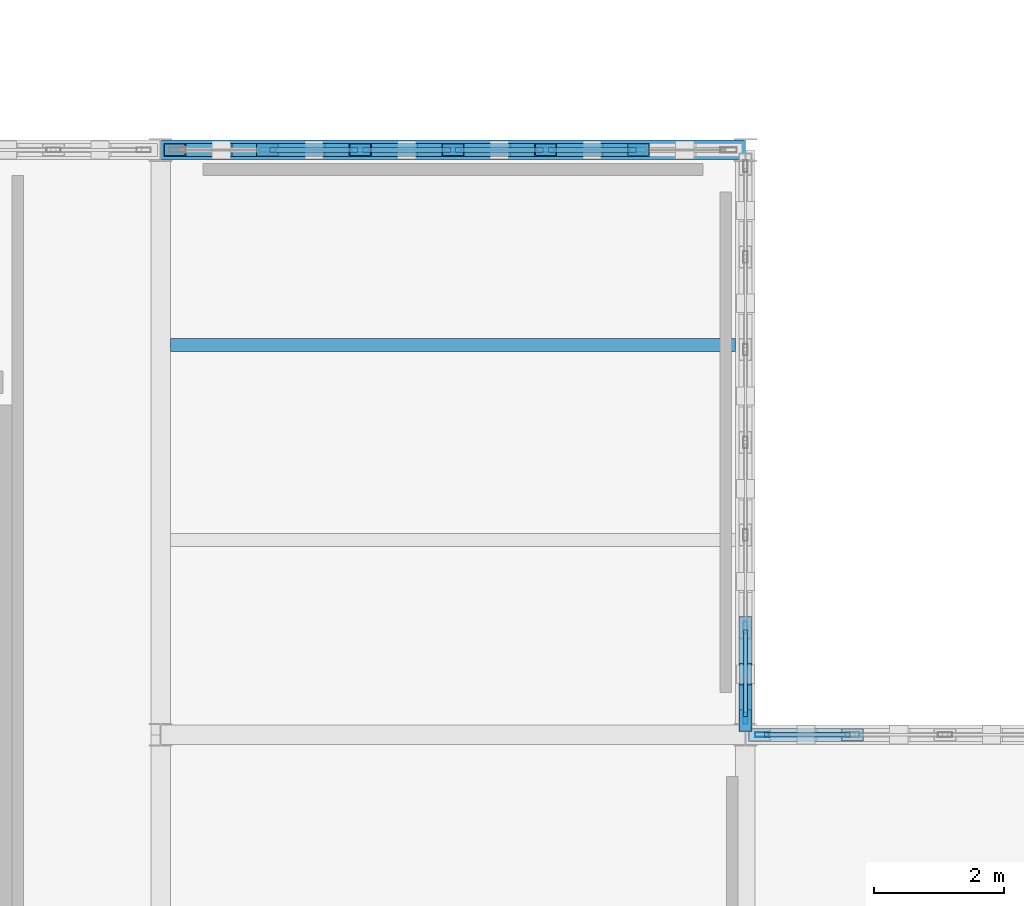
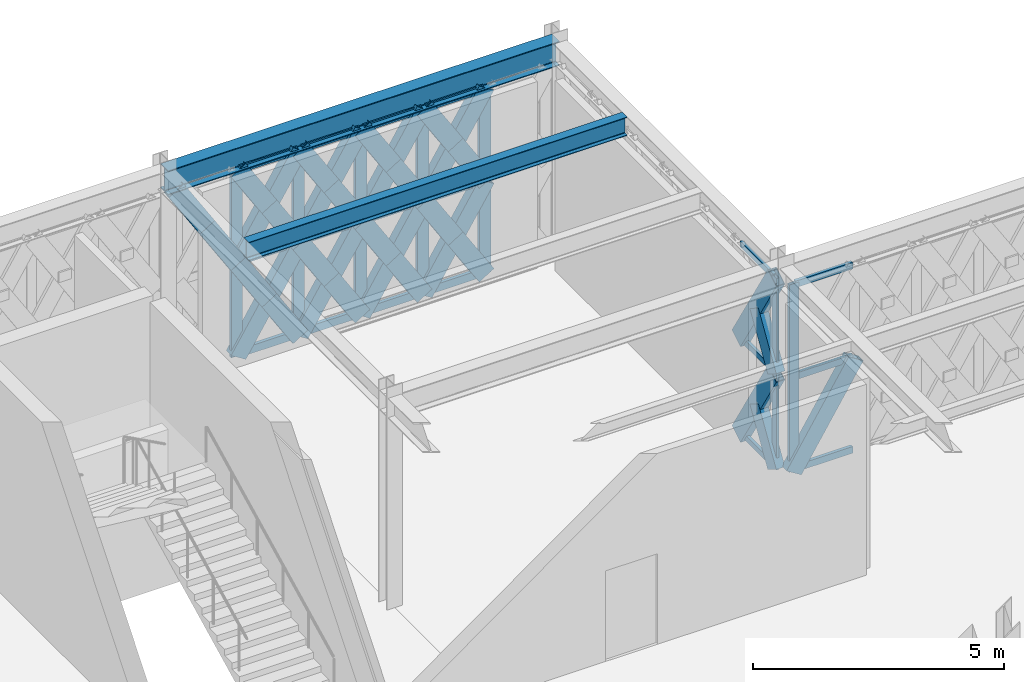
# One storey, part 119 of 166: 56 members, 2 beams, 3 elements without a shape of their own.
"""IFC4 building model written with IfcOpenShell, lengths in metres."""

from ifc_helpers import new_model, si_unit, direction, frame, origin, origin_2d, place, context, subcontext, project, spatial, hollow_rectangle, i_section, extrude, material, material_profile, profile_set, type_object, element, aggregate, save


model = new_model("IFC4")

# Units and contexts
model_context = context("Model", 3, precision=1e-05, world=origin(), true_north=direction((0.0, 1.0)))
body_context = subcontext(model_context, "Body", "Model", "MODEL_VIEW")
ifc_project = project(units=[si_unit("LENGTHUNIT", "METRE"), si_unit("AREAUNIT", "SQUARE_METRE"), si_unit("VOLUMEUNIT", "CUBIC_METRE"), si_unit("PLANEANGLEUNIT", "RADIAN"), si_unit("MASSUNIT", "GRAM", prefix="KILO")], contexts=[model_context])

# Site, building, storey
site_placement = place(None, origin())
site = spatial("IfcSite", under=ifc_project, at=site_placement, CompositionType="ELEMENT")
building_placement = place(site_placement, origin())
building = spatial("IfcBuilding", under=site, at=building_placement, Name="Haizhuo Lancet Aquarium", CompositionType="ELEMENT")
storey_placement = place(building_placement, frame((0.0, 0.0, 5.39990234375)))
storey = spatial("IfcBuildingStorey", under=building, at=storey_placement, Name="L01", CompositionType="ELEMENT", Elevation=5.39990234375)

# Beam
ifc_material_1 = material(Name="Steel S355", Category="steel")
ifc_material_profile_1 = material_profile(ifc_material_1, i_section(OverallWidth=0.300048828125, OverallDepth=0.587890625, WebThickness=0.011962890625, FlangeThickness=0.02001953125, FilletRadius=0.02587890625, at=origin_2d()), Name="HM 588x300x12x20")
ifc_profile_set_1 = profile_set([ifc_material_profile_1], Name="Steel S355")
beam_type_1 = type_object("IfcBeamType", Name="BM-ST-HM588", PredefinedType="BEAM", material=ifc_profile_set_1)
beam_1_placement = place(storey_placement, frame((54.0, 36.0, 4.84619140625), z_axis=(1.0, 0.0, 0.0), x_axis=(0.0, 1.0, 0.0)))
element("IfcBeam", 1, at=beam_1_placement, inside=storey, type_object=beam_type_1, Name="L01 V7 primary girder BM-L01-V7-020", PredefinedType="BEAM", context=body_context, shape_type="SweptSolid", body=[
    extrude(i_section(OverallWidth=0.300048828125, OverallDepth=0.587890625, WebThickness=0.011962890625, FlangeThickness=0.02001953125, FilletRadius=0.02587890625, at=origin_2d()), origin(), (0.0, 0.0, 1.0), 9.0),
])

# Curtain wall, member
ifc_material_2 = material(Name="Aluminium 6063-T6", Category="aluminium")
curtain_wall_type_1 = type_object("IfcCurtainWallType", Name="CWD-8560x4650", PredefinedType="NOTDEFINED", material=ifc_material_2)
curtain_wall_1_placement = place(storey_placement, origin())
curtain_wall_1 = element("IfcCurtainWall", 2, at=curtain_wall_1_placement, inside=storey, type_object=curtain_wall_type_1, Name="L01 curtain wall CW-V7-L01-286", PredefinedType="NOTDEFINED")
ifc_material_profile_2 = material_profile(ifc_material_2, hollow_rectangle(XDim=0.06494140625, YDim=0.179931640625, WallThickness=0.00390625, at=origin_2d()), Name="ALU-M 65x180x4")
ifc_profile_set_2 = profile_set([ifc_material_profile_2], Name="Aluminium 6063-T6")
member_type_1 = type_object("IfcMemberType", Name="CW-MUL-1", PredefinedType="MULLION", material=ifc_profile_set_2)
member_1_placement = place(storey_placement, frame((63.0, 27.251953125, 0.0), z_axis=(0.0, 0.0, 1.0), x_axis=(1.0, 0.0, 0.0)))
member_1 = element("IfcMember", 3, at=member_1_placement, type_object=member_type_1, Name="CWD-85x46 mullion 7", PredefinedType="MULLION", context=body_context, shape_type="SweptSolid", body=[
    extrude(hollow_rectangle(XDim=0.06494140625, YDim=0.179931640625, WallThickness=0.00390625, at=origin_2d()), origin(), (0.0, 0.0, 1.0), 4.652099609375),
])

curtain_wall_type_2 = type_object("IfcCurtainWallType", Name="CWD-8560x4550", PredefinedType="NOTDEFINED", material=ifc_material_2)
curtain_wall_2_placement = place(storey_placement, origin())
curtain_wall_2 = element("IfcCurtainWall", 4, at=curtain_wall_2_placement, inside=storey, type_object=curtain_wall_type_2, Name="L01 curtain wall CW-V7-L01-287", PredefinedType="NOTDEFINED")
ifc_material_profile_3 = material_profile(ifc_material_2, hollow_rectangle(XDim=0.074951171875, YDim=0.219970703125, WallThickness=0.0048828125, at=origin_2d()), Name="ALU-M 75x220x5")
ifc_profile_set_3 = profile_set([ifc_material_profile_3], Name="Aluminium 6063-T6")
member_type_2 = type_object("IfcMemberType", Name="CW-MUL-2", PredefinedType="MULLION", material=ifc_profile_set_3)
member_2_placement = place(storey_placement, frame((63.258056640625, 27.0, 0.0), z_axis=(0.0, 0.0, 1.0), x_axis=(0.0, 1.0, 0.0)))
member_2 = element("IfcMember", 5, at=member_2_placement, type_object=member_type_2, Name="CWD-85x45 mullion 1", PredefinedType="MULLION", context=body_context, shape_type="SweptSolid", body=[
    extrude(hollow_rectangle(XDim=0.074951171875, YDim=0.219970703125, WallThickness=0.0048828125, at=origin_2d()), origin(), (0.0, 0.0, 1.0), 4.552001953125),
])

# Curtain wall, members
curtain_wall_3_placement = place(storey_placement, origin())
curtain_wall_3 = element("IfcCurtainWall", 6, at=curtain_wall_3_placement, inside=storey, type_object=curtain_wall_type_2, Name="L01 curtain wall CW-V7-L01-285", PredefinedType="NOTDEFINED")
ifc_material_profile_4 = material_profile(ifc_material_2, hollow_rectangle(XDim=0.080078125, YDim=0.260009765625, WallThickness=0.0048828125, at=origin_2d()), Name="ALU-M 80x260x5")
ifc_profile_set_4 = profile_set([ifc_material_profile_4], Name="Aluminium 6063-T6")
member_type_3 = type_object("IfcMemberType", Name="CW-MUL-3", PredefinedType="MULLION", material=ifc_profile_set_4)
member_3_placement = place(storey_placement, frame((55.64697265625, 36.0, 0.0), z_axis=(0.0, 0.0, 1.0), x_axis=(0.0, 1.0, 0.0)))
member_3 = element("IfcMember", 7, at=member_3_placement, type_object=member_type_3, Name="CWD-85x45 mullion 2", PredefinedType="MULLION", context=body_context, shape_type="SweptSolid", body=[
    extrude(hollow_rectangle(XDim=0.080078125, YDim=0.260009765625, WallThickness=0.0048828125, at=origin_2d()), origin(), (0.0, 0.0, 1.0), 4.552001953125),
])
member_4_placement = place(storey_placement, frame((57.072998046875, 36.0, 0.0), z_axis=(0.0, 0.0, 1.0), x_axis=(0.0, 1.0, 0.0)))
member_4 = element("IfcMember", 8, at=member_4_placement, type_object=member_type_3, Name="CWD-85x45 mullion 3", PredefinedType="MULLION", context=body_context, shape_type="SweptSolid", body=[
    extrude(hollow_rectangle(XDim=0.080078125, YDim=0.260009765625, WallThickness=0.0048828125, at=origin_2d()), origin(), (0.0, 0.0, 1.0), 4.552001953125),
])
member_5_placement = place(storey_placement, frame((58.5, 36.0, 0.0), z_axis=(0.0, 0.0, 1.0), x_axis=(0.0, 1.0, 0.0)))
member_5 = element("IfcMember", 9, at=member_5_placement, type_object=member_type_3, Name="CWD-85x45 mullion 4", PredefinedType="MULLION", context=body_context, shape_type="SweptSolid", body=[
    extrude(hollow_rectangle(XDim=0.080078125, YDim=0.260009765625, WallThickness=0.0048828125, at=origin_2d()), origin(), (0.0, 0.0, 1.0), 4.552001953125),
])
member_6_placement = place(storey_placement, frame((59.927001953125, 36.0, 0.0), z_axis=(0.0, 0.0, 1.0), x_axis=(0.0, 1.0, 0.0)))
member_6 = element("IfcMember", 10, at=member_6_placement, type_object=member_type_3, Name="CWD-85x45 mullion 5", PredefinedType="MULLION", context=body_context, shape_type="SweptSolid", body=[
    extrude(hollow_rectangle(XDim=0.080078125, YDim=0.260009765625, WallThickness=0.0048828125, at=origin_2d()), origin(), (0.0, 0.0, 1.0), 4.552001953125),
])
member_7_placement = place(storey_placement, frame((61.35302734375, 36.0, 0.0), z_axis=(0.0, 0.0, 1.0), x_axis=(0.0, 1.0, 0.0)))
member_7 = element("IfcMember", 11, at=member_7_placement, type_object=member_type_3, Name="CWD-85x45 mullion 6", PredefinedType="MULLION", context=body_context, shape_type="SweptSolid", body=[
    extrude(hollow_rectangle(XDim=0.080078125, YDim=0.260009765625, WallThickness=0.0048828125, at=origin_2d()), origin(), (0.0, 0.0, 1.0), 4.552001953125),
])

# Member
ifc_material_profile_5 = material_profile(ifc_material_2, hollow_rectangle(XDim=0.06494140625, YDim=0.139892578125, WallThickness=0.00390625, at=origin_2d()), Name="ALU-T 65x140x4")
ifc_profile_set_5 = profile_set([ifc_material_profile_5], Name="Aluminium 6063-T6")
member_type_4 = type_object("IfcMemberType", Name="CW-TRN-1", PredefinedType="NOTDEFINED", material=ifc_profile_set_5)
member_8_placement = place(storey_placement, frame((63.0, 28.614013671875, 0.033203125), z_axis=(0.0, -1.0, 0.0), x_axis=(1.0, 0.0, 0.0)))
member_8 = element("IfcMember", 12, at=member_8_placement, type_object=member_type_4, Name="CWD-85x46 transom 6.1", ObjectType="TRANSOM", PredefinedType="USERDEFINED", context=body_context, shape_type="SweptSolid", body=[
    extrude(hollow_rectangle(XDim=0.06494140625, YDim=0.139892578125, WallThickness=0.00390625, at=origin_2d()), origin(), (0.0, 0.0, 1.0), 1.3291015625),
])

member_9_placement = place(storey_placement, frame((63.0, 28.614013671875, 2.326171875), z_axis=(0.0, -1.0, 0.0), x_axis=(1.0, 0.0, 0.0)))
member_9 = element("IfcMember", 13, at=member_9_placement, type_object=member_type_4, Name="CWD-85x46 transom 6.2", ObjectType="TRANSOM", PredefinedType="USERDEFINED", context=body_context, shape_type="SweptSolid", body=[
    extrude(hollow_rectangle(XDim=0.06494140625, YDim=0.139892578125, WallThickness=0.00390625, at=origin_2d()), origin(), (0.0, 0.0, 1.0), 1.3291015625),
])

member_10_placement = place(storey_placement, frame((63.0, 28.614013671875, 4.619140625), z_axis=(0.0, -1.0, 0.0), x_axis=(1.0, 0.0, 0.0)))
member_10 = element("IfcMember", 14, at=member_10_placement, type_object=member_type_4, Name="CWD-85x46 transom 6.3", ObjectType="TRANSOM", PredefinedType="USERDEFINED", context=body_context, shape_type="SweptSolid", body=[
    extrude(hollow_rectangle(XDim=0.06494140625, YDim=0.139892578125, WallThickness=0.00390625, at=origin_2d()), origin(), (0.0, 0.0, 1.0), 1.3291015625),
])

aggregate(curtain_wall_1, [member_1, member_8, member_9, member_10])

ifc_material_profile_6 = material_profile(ifc_material_2, hollow_rectangle(XDim=0.074951171875, YDim=0.159912109375, WallThickness=0.00390625, at=origin_2d()), Name="ALU-T 75x160x4")
ifc_profile_set_6 = profile_set([ifc_material_profile_6], Name="Aluminium 6063-T6")
member_type_5 = type_object("IfcMemberType", Name="CW-TRN-2", PredefinedType="NOTDEFINED", material=ifc_profile_set_6)
member_11_placement = place(storey_placement, frame((63.294921875, 27.0, 0.0380859375), z_axis=(1.0, 0.0, 0.0), x_axis=(0.0, 1.0, 0.0)))
member_11 = element("IfcMember", 15, at=member_11_placement, type_object=member_type_5, Name="CWD-85x45 transom 1.1", ObjectType="TRANSOM", PredefinedType="USERDEFINED", context=body_context, shape_type="SweptSolid", body=[
    extrude(hollow_rectangle(XDim=0.074951171875, YDim=0.159912109375, WallThickness=0.00390625, at=origin_2d()), origin(), (0.0, 0.0, 1.0), 1.31396484375),
])

member_12_placement = place(storey_placement, frame((63.294921875, 27.0, 2.276123046875), z_axis=(1.0, 0.0, 0.0), x_axis=(0.0, 1.0, 0.0)))
member_12 = element("IfcMember", 16, at=member_12_placement, type_object=member_type_5, Name="CWD-85x45 transom 1.2", ObjectType="TRANSOM", PredefinedType="USERDEFINED", context=body_context, shape_type="SweptSolid", body=[
    extrude(hollow_rectangle(XDim=0.074951171875, YDim=0.159912109375, WallThickness=0.00390625, at=origin_2d()), origin(), (0.0, 0.0, 1.0), 1.31396484375),
])

member_13_placement = place(storey_placement, frame((63.294921875, 27.0, 4.51513671875), z_axis=(1.0, 0.0, 0.0), x_axis=(0.0, 1.0, 0.0)))
member_13 = element("IfcMember", 17, at=member_13_placement, type_object=member_type_5, Name="CWD-85x45 transom 1.3", ObjectType="TRANSOM", PredefinedType="USERDEFINED", context=body_context, shape_type="SweptSolid", body=[
    extrude(hollow_rectangle(XDim=0.074951171875, YDim=0.159912109375, WallThickness=0.00390625, at=origin_2d()), origin(), (0.0, 0.0, 1.0), 1.31396484375),
])

aggregate(curtain_wall_2, [member_2, member_11, member_12, member_13])

ifc_material_profile_7 = material_profile(ifc_material_2, hollow_rectangle(XDim=0.080078125, YDim=0.18994140625, WallThickness=0.0048828125, at=origin_2d()), Name="ALU-T 80x190x5")
ifc_profile_set_7 = profile_set([ifc_material_profile_7], Name="Aluminium 6063-T6")
member_type_6 = type_object("IfcMemberType", Name="CW-TRN-3", PredefinedType="NOTDEFINED", material=ifc_profile_set_7)
member_14_placement = place(storey_placement, frame((55.68701171875, 36.0, 0.0400390625), z_axis=(1.0, 0.0, 0.0), x_axis=(0.0, 1.0, 0.0)))
member_14 = element("IfcMember", 18, at=member_14_placement, type_object=member_type_6, Name="CWD-85x45 transom 2.1", ObjectType="TRANSOM", PredefinedType="USERDEFINED", context=body_context, shape_type="SweptSolid", body=[
    extrude(hollow_rectangle(XDim=0.080078125, YDim=0.18994140625, WallThickness=0.0048828125, at=origin_2d()), origin(), (0.0, 0.0, 1.0), 1.345947265625),
])

member_15_placement = place(storey_placement, frame((55.68701171875, 36.0, 2.276123046875), z_axis=(1.0, 0.0, 0.0), x_axis=(0.0, 1.0, 0.0)))
member_15 = element("IfcMember", 19, at=member_15_placement, type_object=member_type_6, Name="CWD-85x45 transom 2.2", ObjectType="TRANSOM", PredefinedType="USERDEFINED", context=body_context, shape_type="SweptSolid", body=[
    extrude(hollow_rectangle(XDim=0.080078125, YDim=0.18994140625, WallThickness=0.0048828125, at=origin_2d()), origin(), (0.0, 0.0, 1.0), 1.345947265625),
])

member_16_placement = place(storey_placement, frame((55.68701171875, 36.0, 4.51220703125), z_axis=(1.0, 0.0, 0.0), x_axis=(0.0, 1.0, 0.0)))
member_16 = element("IfcMember", 20, at=member_16_placement, type_object=member_type_6, Name="CWD-85x45 transom 2.3", ObjectType="TRANSOM", PredefinedType="USERDEFINED", context=body_context, shape_type="SweptSolid", body=[
    extrude(hollow_rectangle(XDim=0.080078125, YDim=0.18994140625, WallThickness=0.0048828125, at=origin_2d()), origin(), (0.0, 0.0, 1.0), 1.345947265625),
])

member_17_placement = place(storey_placement, frame((57.113037109375, 36.0, 0.0400390625), z_axis=(1.0, 0.0, 0.0), x_axis=(0.0, 1.0, 0.0)))
member_17 = element("IfcMember", 21, at=member_17_placement, type_object=member_type_6, Name="CWD-85x45 transom 3.1", ObjectType="TRANSOM", PredefinedType="USERDEFINED", context=body_context, shape_type="SweptSolid", body=[
    extrude(hollow_rectangle(XDim=0.080078125, YDim=0.18994140625, WallThickness=0.0048828125, at=origin_2d()), origin(), (0.0, 0.0, 1.0), 1.346923828125),
])

member_18_placement = place(storey_placement, frame((57.113037109375, 36.0, 2.276123046875), z_axis=(1.0, 0.0, 0.0), x_axis=(0.0, 1.0, 0.0)))
member_18 = element("IfcMember", 22, at=member_18_placement, type_object=member_type_6, Name="CWD-85x45 transom 3.2", ObjectType="TRANSOM", PredefinedType="USERDEFINED", context=body_context, shape_type="SweptSolid", body=[
    extrude(hollow_rectangle(XDim=0.080078125, YDim=0.18994140625, WallThickness=0.0048828125, at=origin_2d()), origin(), (0.0, 0.0, 1.0), 1.346923828125),
])

member_19_placement = place(storey_placement, frame((57.113037109375, 36.0, 4.51220703125), z_axis=(1.0, 0.0, 0.0), x_axis=(0.0, 1.0, 0.0)))
member_19 = element("IfcMember", 23, at=member_19_placement, type_object=member_type_6, Name="CWD-85x45 transom 3.3", ObjectType="TRANSOM", PredefinedType="USERDEFINED", context=body_context, shape_type="SweptSolid", body=[
    extrude(hollow_rectangle(XDim=0.080078125, YDim=0.18994140625, WallThickness=0.0048828125, at=origin_2d()), origin(), (0.0, 0.0, 1.0), 1.346923828125),
])

member_20_placement = place(storey_placement, frame((58.5400390625, 36.0, 0.0400390625), z_axis=(1.0, 0.0, 0.0), x_axis=(0.0, 1.0, 0.0)))
member_20 = element("IfcMember", 24, at=member_20_placement, type_object=member_type_6, Name="CWD-85x45 transom 4.1", ObjectType="TRANSOM", PredefinedType="USERDEFINED", context=body_context, shape_type="SweptSolid", body=[
    extrude(hollow_rectangle(XDim=0.080078125, YDim=0.18994140625, WallThickness=0.0048828125, at=origin_2d()), origin(), (0.0, 0.0, 1.0), 1.346923828125),
])

member_21_placement = place(storey_placement, frame((58.5400390625, 36.0, 2.276123046875), z_axis=(1.0, 0.0, 0.0), x_axis=(0.0, 1.0, 0.0)))
member_21 = element("IfcMember", 25, at=member_21_placement, type_object=member_type_6, Name="CWD-85x45 transom 4.2", ObjectType="TRANSOM", PredefinedType="USERDEFINED", context=body_context, shape_type="SweptSolid", body=[
    extrude(hollow_rectangle(XDim=0.080078125, YDim=0.18994140625, WallThickness=0.0048828125, at=origin_2d()), origin(), (0.0, 0.0, 1.0), 1.346923828125),
])

member_22_placement = place(storey_placement, frame((58.5400390625, 36.0, 4.51220703125), z_axis=(1.0, 0.0, 0.0), x_axis=(0.0, 1.0, 0.0)))
member_22 = element("IfcMember", 26, at=member_22_placement, type_object=member_type_6, Name="CWD-85x45 transom 4.3", ObjectType="TRANSOM", PredefinedType="USERDEFINED", context=body_context, shape_type="SweptSolid", body=[
    extrude(hollow_rectangle(XDim=0.080078125, YDim=0.18994140625, WallThickness=0.0048828125, at=origin_2d()), origin(), (0.0, 0.0, 1.0), 1.346923828125),
])

member_23_placement = place(storey_placement, frame((59.967041015625, 36.0, 0.0400390625), z_axis=(1.0, 0.0, 0.0), x_axis=(0.0, 1.0, 0.0)))
member_23 = element("IfcMember", 27, at=member_23_placement, type_object=member_type_6, Name="CWD-85x45 transom 5.1", ObjectType="TRANSOM", PredefinedType="USERDEFINED", context=body_context, shape_type="SweptSolid", body=[
    extrude(hollow_rectangle(XDim=0.080078125, YDim=0.18994140625, WallThickness=0.0048828125, at=origin_2d()), origin(), (0.0, 0.0, 1.0), 1.345947265625),
])

member_24_placement = place(storey_placement, frame((59.967041015625, 36.0, 2.276123046875), z_axis=(1.0, 0.0, 0.0), x_axis=(0.0, 1.0, 0.0)))
member_24 = element("IfcMember", 28, at=member_24_placement, type_object=member_type_6, Name="CWD-85x45 transom 5.2", ObjectType="TRANSOM", PredefinedType="USERDEFINED", context=body_context, shape_type="SweptSolid", body=[
    extrude(hollow_rectangle(XDim=0.080078125, YDim=0.18994140625, WallThickness=0.0048828125, at=origin_2d()), origin(), (0.0, 0.0, 1.0), 1.345947265625),
])

member_25_placement = place(storey_placement, frame((59.967041015625, 36.0, 4.51220703125), z_axis=(1.0, 0.0, 0.0), x_axis=(0.0, 1.0, 0.0)))
member_25 = element("IfcMember", 29, at=member_25_placement, type_object=member_type_6, Name="CWD-85x45 transom 5.3", ObjectType="TRANSOM", PredefinedType="USERDEFINED", context=body_context, shape_type="SweptSolid", body=[
    extrude(hollow_rectangle(XDim=0.080078125, YDim=0.18994140625, WallThickness=0.0048828125, at=origin_2d()), origin(), (0.0, 0.0, 1.0), 1.345947265625),
])

aggregate(curtain_wall_3, [member_3, member_4, member_5, member_6, member_7, member_14, member_15, member_16, member_17, member_18, member_19, member_20, member_21, member_22, member_23, member_24, member_25])

# Beam
ifc_material_profile_8 = material_profile(ifc_material_1, i_section(OverallWidth=0.199951171875, OverallDepth=0.449951171875, WebThickness=0.009033203125, FlangeThickness=0.013916015625, FilletRadius=0.01806640625, at=origin_2d()), Name="HN 450x200x9x14")
ifc_profile_set_8 = profile_set([ifc_material_profile_8], Name="Steel S355")
beam_type_2 = type_object("IfcBeamType", Name="JST-ST-HN450", PredefinedType="JOIST", material=ifc_profile_set_8)
beam_2_placement = place(storey_placement, frame((54.14990234375, 33.0, 4.9150390625), z_axis=(1.0, 0.0, 0.0), x_axis=(0.0, 1.0, 0.0)))
element("IfcBeam", 30, at=beam_2_placement, inside=storey, type_object=beam_type_2, Name="L01 V7 secondary floor joist 14", PredefinedType="JOIST", context=body_context, shape_type="SweptSolid", body=[
    extrude(i_section(OverallWidth=0.199951171875, OverallDepth=0.449951171875, WebThickness=0.009033203125, FlangeThickness=0.013916015625, FilletRadius=0.01806640625, at=origin_2d()), origin(), (0.0, 0.0, 1.0), 8.7001953125),
])

# Members
ifc_material_profile_9 = material_profile(ifc_material_1, hollow_rectangle(XDim=0.199951171875, YDim=0.39990234375, WallThickness=0.011962890625, at=origin_2d()), Name="RHS 200x400x12")
ifc_profile_set_9 = profile_set([ifc_material_profile_9], Name="Steel S355")
member_type_7 = type_object("IfcMemberType", Name="MEM-LB-RHS200x400", PredefinedType="BRACE", material=ifc_profile_set_9)
member_26_placement = place(storey_placement, frame((55.64697265625, 36.0, 2.276123046875), z_axis=(-0.531419474561, 0.0, 0.847108813587), x_axis=(0.0, -1.0, 0.0)))
element("IfcMember", 31, at=member_26_placement, inside=storey, type_object=member_type_7, Name="Gothic lancet split diagonal brace CW-V7-L01-285 2B1", PredefinedType="BRACE", context=body_context, shape_type="SweptSolid", body=[
    extrude(hollow_rectangle(XDim=0.199951171875, YDim=0.39990234375, WallThickness=0.011962890625, at=origin_2d()), origin(), (0.0, 0.0, 1.0), 1.34326171875),
])
member_27_placement = place(storey_placement, frame((54.93310546875, 36.0, 3.4140625), z_axis=(-0.531028049623, 0.0, 0.847354241456), x_axis=(0.0, -1.0, 0.0)))
element("IfcMember", 32, at=member_27_placement, inside=storey, type_object=member_type_7, Name="Gothic lancet split diagonal brace CW-V7-L01-285 2B2", PredefinedType="BRACE", context=body_context, shape_type="SweptSolid", body=[
    extrude(hollow_rectangle(XDim=0.199951171875, YDim=0.39990234375, WallThickness=0.011962890625, at=origin_2d()), origin(), (0.0, 0.0, 1.0), 1.343017578125),
])
member_28_placement = place(storey_placement, frame((55.64697265625, 36.0, 0.0), z_axis=(0.53092188125, 0.0, 0.847420766803), x_axis=(0.0, 1.0, 0.0)))
element("IfcMember", 33, at=member_28_placement, inside=storey, type_object=member_type_7, Name="Gothic lancet continuous diagonal brace CW-V7-L01-285 3A", PredefinedType="BRACE", context=body_context, shape_type="SweptSolid", body=[
    extrude(hollow_rectangle(XDim=0.199951171875, YDim=0.39990234375, WallThickness=0.011962890625, at=origin_2d()), origin(), (0.0, 0.0, 1.0), 2.68603515625),
])
for number, where, z_axis, x_axis, name in (
    (34, (57.072998046875, 36.0, 0.0), (-0.530815710653, 0.0, 0.847487275022), (0.0, -1.0, 0.0), "Gothic lancet split diagonal brace CW-V7-L01-285 3B1"),
    (35, (56.360107421875, 36.0, 1.13818359375), (-0.531028049623, 0.0, 0.847354241456), (0.0, -1.0, 0.0), "Gothic lancet split diagonal brace CW-V7-L01-285 3B2"),
):
    element("IfcMember", number, at=place(storey_placement, frame(where, z_axis=z_axis, x_axis=x_axis)), inside=storey, type_object=member_type_7, Name=name, PredefinedType="BRACE", context=body_context, shape_type="SweptSolid", body=[
        extrude(hollow_rectangle(XDim=0.199951171875, YDim=0.39990234375, WallThickness=0.011962890625, at=origin_2d()), origin(), (0.0, 0.0, 1.0), 1.343017578125),
    ])
member_29_placement = place(storey_placement, frame((55.64697265625, 36.0, 2.276123046875), z_axis=(0.530962779059, 0.0, 0.847395142336), x_axis=(0.0, 1.0, 0.0)))
element("IfcMember", 36, at=member_29_placement, inside=storey, type_object=member_type_7, Name="Gothic lancet continuous diagonal brace CW-V7-L01-285 4A", PredefinedType="BRACE", context=body_context, shape_type="SweptSolid", body=[
    extrude(hollow_rectangle(XDim=0.199951171875, YDim=0.39990234375, WallThickness=0.011962890625, at=origin_2d()), origin(), (0.0, 0.0, 1.0), 2.685791015625),
])
member_30_placement = place(storey_placement, frame((57.072998046875, 36.0, 2.276123046875), z_axis=(-0.530897499042, 0.0, 0.847436042136), x_axis=(0.0, -1.0, 0.0)))
element("IfcMember", 37, at=member_30_placement, inside=storey, type_object=member_type_7, Name="Gothic lancet split diagonal brace CW-V7-L01-285 4B1", PredefinedType="BRACE", context=body_context, shape_type="SweptSolid", body=[
    extrude(hollow_rectangle(XDim=0.199951171875, YDim=0.39990234375, WallThickness=0.011962890625, at=origin_2d()), origin(), (0.0, 0.0, 1.0), 1.3427734375),
])
member_31_placement = place(storey_placement, frame((56.360107421875, 36.0, 3.4140625), z_axis=(-0.531028049623, 0.0, 0.847354241456), x_axis=(0.0, -1.0, 0.0)))
element("IfcMember", 38, at=member_31_placement, inside=storey, type_object=member_type_7, Name="Gothic lancet split diagonal brace CW-V7-L01-285 4B2", PredefinedType="BRACE", context=body_context, shape_type="SweptSolid", body=[
    extrude(hollow_rectangle(XDim=0.199951171875, YDim=0.39990234375, WallThickness=0.011962890625, at=origin_2d()), origin(), (0.0, 0.0, 1.0), 1.343017578125),
])
member_32_placement = place(storey_placement, frame((57.072998046875, 36.0, 0.0), z_axis=(0.531182902496, 0.0, 0.84725717707), x_axis=(0.0, 1.0, 0.0)))
element("IfcMember", 39, at=member_32_placement, inside=storey, type_object=member_type_7, Name="Gothic lancet continuous diagonal brace CW-V7-L01-285 5A", PredefinedType="BRACE", context=body_context, shape_type="SweptSolid", body=[
    extrude(hollow_rectangle(XDim=0.199951171875, YDim=0.39990234375, WallThickness=0.011962890625, at=origin_2d()), origin(), (0.0, 0.0, 1.0), 2.6865234375),
])
member_33_placement = place(storey_placement, frame((58.5, 36.0, 0.0), z_axis=(-0.530815710653, 0.0, 0.847487275022), x_axis=(0.0, -1.0, 0.0)))
element("IfcMember", 40, at=member_33_placement, inside=storey, type_object=member_type_7, Name="Gothic lancet split diagonal brace CW-V7-L01-285 5B1", PredefinedType="BRACE", context=body_context, shape_type="SweptSolid", body=[
    extrude(hollow_rectangle(XDim=0.199951171875, YDim=0.39990234375, WallThickness=0.011962890625, at=origin_2d()), origin(), (0.0, 0.0, 1.0), 1.343017578125),
])
member_34_placement = place(storey_placement, frame((57.787109375, 36.0, 1.13818359375), z_axis=(-0.531549873957, 0.0, 0.847026995731), x_axis=(0.0, -1.0, 0.0)))
element("IfcMember", 41, at=member_34_placement, inside=storey, type_object=member_type_7, Name="Gothic lancet split diagonal brace CW-V7-L01-285 5B2", PredefinedType="BRACE", context=body_context, shape_type="SweptSolid", body=[
    extrude(hollow_rectangle(XDim=0.199951171875, YDim=0.39990234375, WallThickness=0.011962890625, at=origin_2d()), origin(), (0.0, 0.0, 1.0), 1.343505859375),
])
member_35_placement = place(storey_placement, frame((57.072998046875, 36.0, 2.276123046875), z_axis=(0.531223804613, 0.0, 0.847231532353), x_axis=(0.0, 1.0, 0.0)))
element("IfcMember", 42, at=member_35_placement, inside=storey, type_object=member_type_7, Name="Gothic lancet continuous diagonal brace CW-V7-L01-285 6A", PredefinedType="BRACE", context=body_context, shape_type="SweptSolid", body=[
    extrude(hollow_rectangle(XDim=0.199951171875, YDim=0.39990234375, WallThickness=0.011962890625, at=origin_2d()), origin(), (0.0, 0.0, 1.0), 2.686279296875),
])
member_36_placement = place(storey_placement, frame((58.5, 36.0, 2.276123046875), z_axis=(-0.530897499042, 0.0, 0.847436042136), x_axis=(0.0, -1.0, 0.0)))
element("IfcMember", 43, at=member_36_placement, inside=storey, type_object=member_type_7, Name="Gothic lancet split diagonal brace CW-V7-L01-285 6B1", PredefinedType="BRACE", context=body_context, shape_type="SweptSolid", body=[
    extrude(hollow_rectangle(XDim=0.199951171875, YDim=0.39990234375, WallThickness=0.011962890625, at=origin_2d()), origin(), (0.0, 0.0, 1.0), 1.3427734375),
])
member_37_placement = place(storey_placement, frame((57.787109375, 36.0, 3.4140625), z_axis=(-0.531549873957, 0.0, 0.847026995731), x_axis=(0.0, -1.0, 0.0)))
element("IfcMember", 44, at=member_37_placement, inside=storey, type_object=member_type_7, Name="Gothic lancet split diagonal brace CW-V7-L01-285 6B2", PredefinedType="BRACE", context=body_context, shape_type="SweptSolid", body=[
    extrude(hollow_rectangle(XDim=0.199951171875, YDim=0.39990234375, WallThickness=0.011962890625, at=origin_2d()), origin(), (0.0, 0.0, 1.0), 1.343505859375),
])
member_38_placement = place(storey_placement, frame((58.5, 36.0, 0.0), z_axis=(0.531182902496, 0.0, 0.84725717707), x_axis=(0.0, 1.0, 0.0)))
element("IfcMember", 45, at=member_38_placement, inside=storey, type_object=member_type_7, Name="Gothic lancet continuous diagonal brace CW-V7-L01-285 7A", PredefinedType="BRACE", context=body_context, shape_type="SweptSolid", body=[
    extrude(hollow_rectangle(XDim=0.199951171875, YDim=0.39990234375, WallThickness=0.011962890625, at=origin_2d()), origin(), (0.0, 0.0, 1.0), 2.6865234375),
])
member_39_placement = place(storey_placement, frame((59.927001953125, 36.0, 0.0), z_axis=(-0.531468064081, 0.0, 0.847078329827), x_axis=(0.0, -1.0, 0.0)))
element("IfcMember", 46, at=member_39_placement, inside=storey, type_object=member_type_7, Name="Gothic lancet split diagonal brace CW-V7-L01-285 7B1", PredefinedType="BRACE", context=body_context, shape_type="SweptSolid", body=[
    extrude(hollow_rectangle(XDim=0.199951171875, YDim=0.39990234375, WallThickness=0.011962890625, at=origin_2d()), origin(), (0.0, 0.0, 1.0), 1.34375),
])
member_40_placement = place(storey_placement, frame((59.212890625, 36.0, 1.13818359375), z_axis=(-0.530897499042, 0.0, 0.847436042136), x_axis=(0.0, -1.0, 0.0)))
element("IfcMember", 47, at=member_40_placement, inside=storey, type_object=member_type_7, Name="Gothic lancet split diagonal brace CW-V7-L01-285 7B2", PredefinedType="BRACE", context=body_context, shape_type="SweptSolid", body=[
    extrude(hollow_rectangle(XDim=0.199951171875, YDim=0.39990234375, WallThickness=0.011962890625, at=origin_2d()), origin(), (0.0, 0.0, 1.0), 1.3427734375),
])
member_41_placement = place(storey_placement, frame((58.5, 36.0, 2.276123046875), z_axis=(0.531223804613, 0.0, 0.847231532353), x_axis=(0.0, 1.0, 0.0)))
element("IfcMember", 48, at=member_41_placement, inside=storey, type_object=member_type_7, Name="Gothic lancet continuous diagonal brace CW-V7-L01-285 8A", PredefinedType="BRACE", context=body_context, shape_type="SweptSolid", body=[
    extrude(hollow_rectangle(XDim=0.199951171875, YDim=0.39990234375, WallThickness=0.011962890625, at=origin_2d()), origin(), (0.0, 0.0, 1.0), 2.686279296875),
])
member_42_placement = place(storey_placement, frame((59.927001953125, 36.0, 2.276123046875), z_axis=(-0.531549873957, 0.0, 0.847026995731), x_axis=(0.0, -1.0, 0.0)))
element("IfcMember", 49, at=member_42_placement, inside=storey, type_object=member_type_7, Name="Gothic lancet split diagonal brace CW-V7-L01-285 8B1", PredefinedType="BRACE", context=body_context, shape_type="SweptSolid", body=[
    extrude(hollow_rectangle(XDim=0.199951171875, YDim=0.39990234375, WallThickness=0.011962890625, at=origin_2d()), origin(), (0.0, 0.0, 1.0), 1.343505859375),
])
member_43_placement = place(storey_placement, frame((59.212890625, 36.0, 3.4140625), z_axis=(-0.530897499042, 0.0, 0.847436042136), x_axis=(0.0, -1.0, 0.0)))
element("IfcMember", 50, at=member_43_placement, inside=storey, type_object=member_type_7, Name="Gothic lancet split diagonal brace CW-V7-L01-285 8B2", PredefinedType="BRACE", context=body_context, shape_type="SweptSolid", body=[
    extrude(hollow_rectangle(XDim=0.199951171875, YDim=0.39990234375, WallThickness=0.011962890625, at=origin_2d()), origin(), (0.0, 0.0, 1.0), 1.3427734375),
])
member_44_placement = place(storey_placement, frame((59.927001953125, 36.0, 0.0), z_axis=(0.53092188125, 0.0, 0.847420766803), x_axis=(0.0, 1.0, 0.0)))
element("IfcMember", 51, at=member_44_placement, inside=storey, type_object=member_type_7, Name="Gothic lancet continuous diagonal brace CW-V7-L01-285 9A", PredefinedType="BRACE", context=body_context, shape_type="SweptSolid", body=[
    extrude(hollow_rectangle(XDim=0.199951171875, YDim=0.39990234375, WallThickness=0.011962890625, at=origin_2d()), origin(), (0.0, 0.0, 1.0), 2.68603515625),
])
member_45_placement = place(storey_placement, frame((61.35302734375, 36.0, 0.0), z_axis=(-0.530946256911, 0.0, 0.847405494597), x_axis=(0.0, -1.0, 0.0)))
element("IfcMember", 52, at=member_45_placement, inside=storey, type_object=member_type_7, Name="Gothic lancet split diagonal brace CW-V7-L01-285 9B1", PredefinedType="BRACE", context=body_context, shape_type="SweptSolid", body=[
    extrude(hollow_rectangle(XDim=0.199951171875, YDim=0.39990234375, WallThickness=0.011962890625, at=origin_2d()), origin(), (0.0, 0.0, 1.0), 1.343017578125),
])
member_46_placement = place(storey_placement, frame((60.639892578125, 36.0, 1.13818359375), z_axis=(-0.530897499042, 0.0, 0.847436042136), x_axis=(0.0, -1.0, 0.0)))
element("IfcMember", 53, at=member_46_placement, inside=storey, type_object=member_type_7, Name="Gothic lancet split diagonal brace CW-V7-L01-285 9B2", PredefinedType="BRACE", context=body_context, shape_type="SweptSolid", body=[
    extrude(hollow_rectangle(XDim=0.199951171875, YDim=0.39990234375, WallThickness=0.011962890625, at=origin_2d()), origin(), (0.0, 0.0, 1.0), 1.3427734375),
])
member_47_placement = place(storey_placement, frame((59.927001953125, 36.0, 2.276123046875), z_axis=(0.530962779059, 0.0, 0.847395142336), x_axis=(0.0, 1.0, 0.0)))
element("IfcMember", 54, at=member_47_placement, inside=storey, type_object=member_type_7, Name="Gothic lancet continuous diagonal brace CW-V7-L01-285 10A", PredefinedType="BRACE", context=body_context, shape_type="SweptSolid", body=[
    extrude(hollow_rectangle(XDim=0.199951171875, YDim=0.39990234375, WallThickness=0.011962890625, at=origin_2d()), origin(), (0.0, 0.0, 1.0), 2.685791015625),
])
member_48_placement = place(storey_placement, frame((61.35302734375, 36.0, 2.276123046875), z_axis=(-0.531028049623, 0.0, 0.847354241456), x_axis=(0.0, -1.0, 0.0)))
element("IfcMember", 55, at=member_48_placement, inside=storey, type_object=member_type_7, Name="Gothic lancet split diagonal brace CW-V7-L01-285 10B1", PredefinedType="BRACE", context=body_context, shape_type="SweptSolid", body=[
    extrude(hollow_rectangle(XDim=0.199951171875, YDim=0.39990234375, WallThickness=0.011962890625, at=origin_2d()), origin(), (0.0, 0.0, 1.0), 1.343017578125),
])
member_49_placement = place(storey_placement, frame((60.639892578125, 36.0, 3.4140625), z_axis=(-0.530897499042, 0.0, 0.847436042136), x_axis=(0.0, -1.0, 0.0)))
element("IfcMember", 56, at=member_49_placement, inside=storey, type_object=member_type_7, Name="Gothic lancet split diagonal brace CW-V7-L01-285 10B2", PredefinedType="BRACE", context=body_context, shape_type="SweptSolid", body=[
    extrude(hollow_rectangle(XDim=0.199951171875, YDim=0.39990234375, WallThickness=0.011962890625, at=origin_2d()), origin(), (0.0, 0.0, 1.0), 1.3427734375),
])
member_50_placement = place(storey_placement, frame((63.0, 28.64697265625, 0.0), z_axis=(0.0, -0.522903960116, 0.85239160513), x_axis=(1.0, 0.0, 0.0)))
element("IfcMember", 57, at=member_50_placement, inside=storey, type_object=member_type_7, Name="Gothic lancet continuous diagonal brace CW-V7-L01-286 11A", PredefinedType="BRACE", context=body_context, shape_type="SweptSolid", body=[
    extrude(hollow_rectangle(XDim=0.199951171875, YDim=0.39990234375, WallThickness=0.011962890625, at=origin_2d()), origin(), (0.0, 0.0, 1.0), 2.72900390625),
])
member_51_placement = place(storey_placement, frame((63.0, 27.219970703125, 0.0), z_axis=(0.0, 0.522708917992, 0.852511224003), x_axis=(-1.0, 0.0, 0.0)))
element("IfcMember", 58, at=member_51_placement, inside=storey, type_object=member_type_7, Name="Gothic lancet split diagonal brace CW-V7-L01-286 11B1", PredefinedType="BRACE", context=body_context, shape_type="SweptSolid", body=[
    extrude(hollow_rectangle(XDim=0.199951171875, YDim=0.39990234375, WallThickness=0.011962890625, at=origin_2d()), origin(), (0.0, 0.0, 1.0), 1.3642578125),
])
member_52_placement = place(storey_placement, frame((63.0, 28.64697265625, 2.326171875), z_axis=(0.0, -0.522943837384, 0.852367140933), x_axis=(1.0, 0.0, 0.0)))
element("IfcMember", 59, at=member_52_placement, inside=storey, type_object=member_type_7, Name="Gothic lancet continuous diagonal brace CW-V7-L01-286 12A", PredefinedType="BRACE", context=body_context, shape_type="SweptSolid", body=[
    extrude(hollow_rectangle(XDim=0.199951171875, YDim=0.39990234375, WallThickness=0.011962890625, at=origin_2d()), origin(), (0.0, 0.0, 1.0), 2.728759765625),
])
member_53_placement = place(storey_placement, frame((63.0, 27.219970703125, 2.326171875), z_axis=(0.0, 0.5227886701, 0.852462319646), x_axis=(-1.0, 0.0, 0.0)))
element("IfcMember", 60, at=member_53_placement, inside=storey, type_object=member_type_7, Name="Gothic lancet split diagonal brace CW-V7-L01-286 12B1", PredefinedType="BRACE", context=body_context, shape_type="SweptSolid", body=[
    extrude(hollow_rectangle(XDim=0.199951171875, YDim=0.39990234375, WallThickness=0.011962890625, at=origin_2d()), origin(), (0.0, 0.0, 1.0), 1.364013671875),
])
member_54_placement = place(storey_placement, frame((63.219970703125, 27.0, 0.0), z_axis=(0.531182902496, 0.0, 0.84725717707), x_axis=(0.0, 1.0, 0.0)))
element("IfcMember", 61, at=member_54_placement, inside=storey, type_object=member_type_7, Name="Gothic lancet continuous diagonal brace CW-V7-L01-287 1A", PredefinedType="BRACE", context=body_context, shape_type="SweptSolid", body=[
    extrude(hollow_rectangle(XDim=0.199951171875, YDim=0.39990234375, WallThickness=0.011962890625, at=origin_2d()), origin(), (0.0, 0.0, 1.0), 2.6865234375),
])

save(model, "model.ifc")
